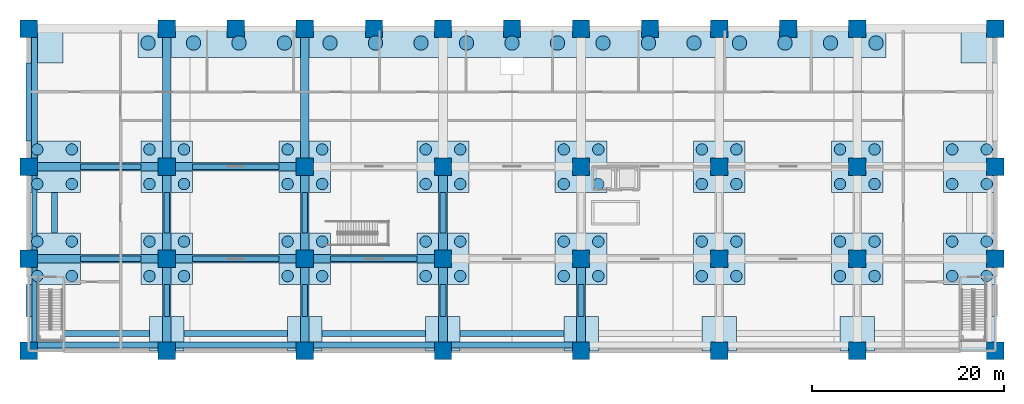
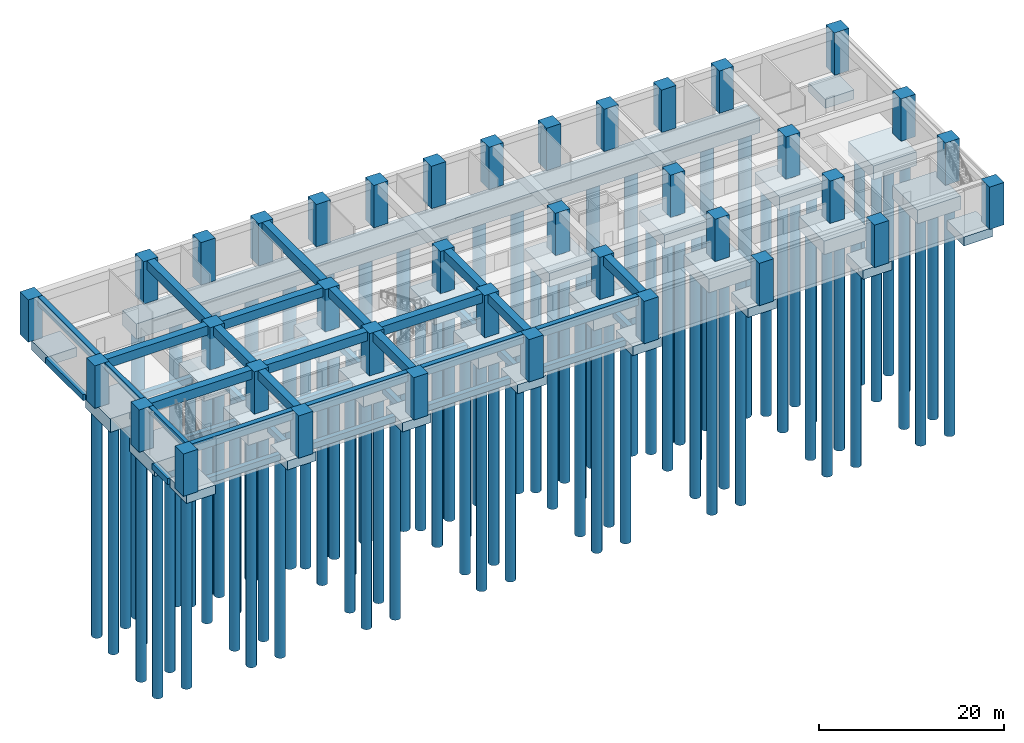
# One storey, part 1 of 13: 81 piles, 40 beams, 37 columns, 27 footings.
"""IFC4 building model written with IfcOpenShell, lengths in metres."""

from ifc_helpers import new_model, si_unit, direction, frame, origin, origin_2d, place, context, subcontext, project, spatial, polyline, rectangle, circle, outline, extrude, source, transform, mapped, material, material_profile, profile_set, type_object, element, save


model = new_model("IFC4")

# Units and contexts
model_context = context("Model", 3, precision=1e-05, world=origin(), true_north=direction((0.0, 1.0)))
body_context = subcontext(model_context, "Body", "Model", "MODEL_VIEW")
ifc_project = project(units=[si_unit("LENGTHUNIT", "METRE"), si_unit("AREAUNIT", "SQUARE_METRE"), si_unit("VOLUMEUNIT", "CUBIC_METRE"), si_unit("PLANEANGLEUNIT", "RADIAN"), si_unit("MASSUNIT", "GRAM", prefix="KILO")], contexts=[model_context])

# Site, building, storey
site_placement = place(None, origin())
site = spatial("IfcSite", under=ifc_project, at=site_placement, CompositionType="ELEMENT")
building_placement = place(site_placement, origin())
building = spatial("IfcBuilding", under=site, at=building_placement, Name="Saffron Iwan Residences", CompositionType="ELEMENT")
storey_placement = place(building_placement, frame((0.0, 0.0, -11.39990234375)))
storey = spatial("IfcBuildingStorey", under=building, at=storey_placement, Name="B2", CompositionType="ELEMENT", Elevation=-11.39990234375)

# Piles
ifc_material_1 = material(Name="Concrete C40/50", Category="concrete")
ifc_material_profile_1 = material_profile(ifc_material_1, circle(Radius=0.60009765625, at=origin_2d()), Name="RC D1200")
ifc_profile_set_1 = profile_set([ifc_material_profile_1], Name="Concrete C40/50")
pile_type_1 = type_object("IfcPileType", Name="BORED PILE D1200 C40/50", PredefinedType="BORED", material=ifc_profile_set_1)
for number, where, z_axis, x_axis, name in (
    (1, (0.89990234375, 7.800048828125, -2.25), (0.0, 0.0, -1.0), (1.0, 0.0, 0.0), "bored pile"),
    (2, (4.5, 7.800048828125, -2.25), (0.0, 0.0, -1.0), (1.0, 0.0, 0.0), "bored pile"),
    (3, (0.89990234375, 11.39990234375, -2.25), (0.0, 0.0, -1.0), (1.0, 0.0, 0.0), "bored pile"),
    (4, (4.5, 11.39990234375, -2.25), (0.0, 0.0, -1.0), (1.0, 0.0, 0.0), "bored pile"),
    (5, (12.60009765625, 7.800048828125, -2.25), (0.0, 0.0, -1.0), (1.0, 0.0, 0.0), "bored pile"),
    (6, (16.199951171875, 7.800048828125, -2.25), (0.0, 0.0, -1.0), (1.0, 0.0, 0.0), "bored pile"),
    (7, (12.60009765625, 11.39990234375, -2.25), (0.0, 0.0, -1.0), (1.0, 0.0, 0.0), "bored pile"),
    (8, (16.199951171875, 11.39990234375, -2.25), (0.0, 0.0, -1.0), (1.0, 0.0, 0.0), "bored pile"),
    (9, (27.0, 7.800048828125, -2.25), (0.0, 0.0, -1.0), (1.0, 0.0, 0.0), "bored pile"),
    (10, (30.60009765625, 7.800048828125, -2.25), (0.0, 0.0, -1.0), (1.0, 0.0, 0.0), "bored pile"),
    (11, (27.0, 11.39990234375, -2.25), (0.0, 0.0, -1.0), (1.0, 0.0, 0.0), "bored pile"),
    (12, (30.60009765625, 11.39990234375, -2.25), (0.0, 0.0, -1.0), (1.0, 0.0, 0.0), "bored pile"),
    (13, (41.39990234375, 7.800048828125, -2.25), (0.0, 0.0, -1.0), (1.0, 0.0, 0.0), "bored pile"),
    (14, (45.0, 7.800048828125, -2.25), (0.0, 0.0, -1.0), (1.0, 0.0, 0.0), "bored pile"),
    (15, (41.39990234375, 11.39990234375, -2.25), (0.0, 0.0, -1.0), (1.0, 0.0, 0.0), "bored pile"),
    (16, (45.0, 11.39990234375, -2.25), (0.0, 0.0, -1.0), (1.0, 0.0, 0.0), "bored pile"),
    (17, (55.800048828125, 7.800048828125, -2.25), (0.0, 0.0, -1.0), (1.0, 0.0, 0.0), "bored pile"),
    (18, (59.39990234375, 7.800048828125, -2.25), (0.0, 0.0, -1.0), (1.0, 0.0, 0.0), "bored pile"),
    (19, (55.800048828125, 11.39990234375, -2.25), (0.0, 0.0, -1.0), (1.0, 0.0, 0.0), "bored pile"),
    (20, (59.39990234375, 11.39990234375, -2.25), (0.0, 0.0, -1.0), (1.0, 0.0, 0.0), "bored pile"),
    (21, (70.199951171875, 7.800048828125, -2.25), (0.0, 0.0, -1.0), (1.0, 0.0, 0.0), "bored pile"),
    (22, (73.800048828125, 7.800048828125, -2.25), (0.0, 0.0, -1.0), (1.0, 0.0, 0.0), "bored pile"),
    (23, (70.199951171875, 11.39990234375, -2.25), (0.0, 0.0, -1.0), (1.0, 0.0, 0.0), "bored pile"),
    (24, (73.800048828125, 11.39990234375, -2.25), (0.0, 0.0, -1.0), (1.0, 0.0, 0.0), "bored pile"),
    (25, (84.60009765625, 7.800048828125, -2.25), (0.0, 0.0, -1.0), (1.0, 0.0, 0.0), "bored pile"),
    (26, (88.199951171875, 7.800048828125, -2.25), (0.0, 0.0, -1.0), (1.0, 0.0, 0.0), "bored pile"),
    (27, (84.60009765625, 11.39990234375, -2.25), (0.0, 0.0, -1.0), (1.0, 0.0, 0.0), "bored pile"),
    (28, (88.199951171875, 11.39990234375, -2.25), (0.0, 0.0, -1.0), (1.0, 0.0, 0.0), "bored pile"),
    (29, (96.300048828125, 7.800048828125, -2.25), (0.0, 0.0, -1.0), (1.0, 0.0, 0.0), "bored pile"),
    (30, (99.89990234375, 7.800048828125, -2.25), (0.0, 0.0, -1.0), (1.0, 0.0, 0.0), "bored pile"),
    (31, (96.300048828125, 11.39990234375, -2.25), (0.0, 0.0, -1.0), (1.0, 0.0, 0.0), "bored pile"),
    (32, (99.89990234375, 11.39990234375, -2.25), (0.0, 0.0, -1.0), (1.0, 0.0, 0.0), "bored pile"),
    (33, (0.89990234375, 17.39990234375, -2.25), (0.0, 0.0, -1.0), (1.0, 0.0, 0.0), "bored pile"),
    (34, (4.5, 17.39990234375, -2.25), (0.0, 0.0, -1.0), (1.0, 0.0, 0.0), "bored pile"),
    (35, (0.89990234375, 21.0, -2.25), (0.0, 0.0, -1.0), (1.0, 0.0, 0.0), "bored pile"),
    (36, (4.5, 21.0, -2.25), (0.0, 0.0, -1.0), (1.0, 0.0, 0.0), "bored pile"),
    (37, (12.60009765625, 17.39990234375, -2.25), (0.0, 0.0, -1.0), (1.0, 0.0, 0.0), "bored pile"),
    (38, (16.199951171875, 17.39990234375, -2.25), (0.0, 0.0, -1.0), (1.0, 0.0, 0.0), "bored pile"),
    (39, (12.60009765625, 21.0, -2.25), (0.0, 0.0, -1.0), (1.0, 0.0, 0.0), "bored pile"),
    (40, (16.199951171875, 21.0, -2.25), (0.0, 0.0, -1.0), (1.0, 0.0, 0.0), "bored pile"),
    (41, (27.0, 17.39990234375, -2.25), (0.0, 0.0, -1.0), (1.0, 0.0, 0.0), "bored pile"),
    (42, (30.60009765625, 17.39990234375, -2.25), (0.0, 0.0, -1.0), (1.0, 0.0, 0.0), "bored pile"),
    (43, (27.0, 21.0, -2.25), (0.0, 0.0, -1.0), (1.0, 0.0, 0.0), "bored pile"),
    (44, (30.60009765625, 21.0, -2.25), (0.0, 0.0, -1.0), (1.0, 0.0, 0.0), "bored pile"),
    (45, (41.39990234375, 17.39990234375, -2.25), (0.0, 0.0, -1.0), (1.0, 0.0, 0.0), "bored pile"),
    (46, (45.0, 17.39990234375, -2.25), (0.0, 0.0, -1.0), (1.0, 0.0, 0.0), "bored pile"),
    (47, (41.39990234375, 21.0, -2.25), (0.0, 0.0, -1.0), (1.0, 0.0, 0.0), "bored pile"),
    (48, (45.0, 21.0, -2.25), (0.0, 0.0, -1.0), (1.0, 0.0, 0.0), "bored pile"),
    (49, (55.800048828125, 17.39990234375, -2.25), (0.0, 0.0, -1.0), (1.0, 0.0, 0.0), "bored pile"),
    (50, (59.39990234375, 17.39990234375, -2.25), (0.0, 0.0, -1.0), (1.0, 0.0, 0.0), "bored pile"),
    (51, (55.800048828125, 21.0, -2.25), (0.0, 0.0, -1.0), (1.0, 0.0, 0.0), "bored pile"),
    (52, (59.39990234375, 21.0, -2.25), (0.0, 0.0, -1.0), (1.0, 0.0, 0.0), "bored pile"),
    (53, (70.199951171875, 17.39990234375, -2.25), (0.0, 0.0, -1.0), (1.0, 0.0, 0.0), "bored pile"),
    (54, (73.800048828125, 17.39990234375, -2.25), (0.0, 0.0, -1.0), (1.0, 0.0, 0.0), "bored pile"),
    (55, (70.199951171875, 21.0, -2.25), (0.0, 0.0, -1.0), (1.0, 0.0, 0.0), "bored pile"),
    (56, (73.800048828125, 21.0, -2.25), (0.0, 0.0, -1.0), (1.0, 0.0, 0.0), "bored pile"),
    (57, (84.60009765625, 17.39990234375, -2.25), (0.0, 0.0, -1.0), (1.0, 0.0, 0.0), "bored pile"),
    (58, (88.199951171875, 17.39990234375, -2.25), (0.0, 0.0, -1.0), (1.0, 0.0, 0.0), "bored pile"),
    (59, (84.60009765625, 21.0, -2.25), (0.0, 0.0, -1.0), (1.0, 0.0, 0.0), "bored pile"),
    (60, (88.199951171875, 21.0, -2.25), (0.0, 0.0, -1.0), (1.0, 0.0, 0.0), "bored pile"),
    (61, (96.300048828125, 17.39990234375, -2.25), (0.0, 0.0, -1.0), (1.0, 0.0, 0.0), "bored pile"),
    (62, (99.89990234375, 17.39990234375, -2.25), (0.0, 0.0, -1.0), (1.0, 0.0, 0.0), "bored pile"),
    (63, (96.300048828125, 21.0, -2.25), (0.0, 0.0, -1.0), (1.0, 0.0, 0.0), "bored pile"),
    (64, (99.89990234375, 21.0, -2.25), (0.0, 0.0, -1.0), (1.0, 0.0, 0.0), "bored pile"),
):
    element("IfcPile", number, at=place(storey_placement, frame(where, z_axis=z_axis, x_axis=x_axis)), inside=storey, type_object=pile_type_1, Name=name, PredefinedType="BORED", context=body_context, shape_type="SweptSolid", body=[
        extrude(circle(Radius=0.60009765625, at=origin_2d()), origin(), (0.0, 0.0, 1.0), 30.0),
    ])
ifc_material_profile_2 = material_profile(ifc_material_1, circle(Radius=0.75, at=origin_2d()), Name="RC D1500")
ifc_profile_set_2 = profile_set([ifc_material_profile_2], Name="Concrete C40/50")
pile_type_2 = type_object("IfcPileType", Name="BORED PILE D1500 C40/50", PredefinedType="BORED", material=ifc_profile_set_2)
for number, where, z_axis, x_axis, name in (
    (65, (12.449951171875, 32.10009765625, -2.4501953125), (0.0, 0.0, -1.0), (1.0, 0.0, 0.0), "bored pile"),
    (66, (17.19384765625, 32.10009765625, -2.4501953125), (0.0, 0.0, -1.0), (1.0, 0.0, 0.0), "bored pile"),
    (67, (21.9375, 32.10009765625, -2.4501953125), (0.0, 0.0, -1.0), (1.0, 0.0, 0.0), "bored pile"),
    (68, (26.681396484375, 32.10009765625, -2.4501953125), (0.0, 0.0, -1.0), (1.0, 0.0, 0.0), "bored pile"),
    (69, (31.425048828125, 32.10009765625, -2.4501953125), (0.0, 0.0, -1.0), (1.0, 0.0, 0.0), "bored pile"),
    (70, (36.168701171875, 32.10009765625, -2.4501953125), (0.0, 0.0, -1.0), (1.0, 0.0, 0.0), "bored pile"),
    (71, (40.91259765625, 32.10009765625, -2.4501953125), (0.0, 0.0, -1.0), (1.0, 0.0, 0.0), "bored pile"),
    (72, (45.65625, 32.10009765625, -2.4501953125), (0.0, 0.0, -1.0), (1.0, 0.0, 0.0), "bored pile"),
    (73, (50.39990234375, 32.10009765625, -2.4501953125), (0.0, 0.0, -1.0), (1.0, 0.0, 0.0), "bored pile"),
    (74, (55.143798828125, 32.10009765625, -2.4501953125), (0.0, 0.0, -1.0), (1.0, 0.0, 0.0), "bored pile"),
    (75, (59.887451171875, 32.10009765625, -2.4501953125), (0.0, 0.0, -1.0), (1.0, 0.0, 0.0), "bored pile"),
    (76, (64.63134765625, 32.10009765625, -2.4501953125), (0.0, 0.0, -1.0), (1.0, 0.0, 0.0), "bored pile"),
    (77, (69.375, 32.10009765625, -2.4501953125), (0.0, 0.0, -1.0), (1.0, 0.0, 0.0), "bored pile"),
    (78, (74.118896484375, 32.10009765625, -2.4501953125), (0.0, 0.0, -1.0), (1.0, 0.0, 0.0), "bored pile"),
    (79, (78.862548828125, 32.10009765625, -2.4501953125), (0.0, 0.0, -1.0), (1.0, 0.0, 0.0), "bored pile"),
    (80, (83.606201171875, 32.10009765625, -2.4501953125), (0.0, 0.0, -1.0), (1.0, 0.0, 0.0), "bored pile"),
    (81, (88.35009765625, 32.10009765625, -2.4501953125), (0.0, 0.0, -1.0), (1.0, 0.0, 0.0), "bored pile"),
):
    element("IfcPile", number, at=place(storey_placement, frame(where, z_axis=z_axis, x_axis=x_axis)), inside=storey, type_object=pile_type_2, Name=name, PredefinedType="BORED", context=body_context, shape_type="SweptSolid", body=[
        extrude(circle(Radius=0.75, at=origin_2d()), origin(), (0.0, 0.0, 1.0), 38.0),
    ])

# Footings
footing_type_1 = type_object("IfcFootingType", Name="PILE CAP STRIP 3000 C40/50", PredefinedType="PILE_CAP", material=ifc_material_1)
footing_placement = place(storey_placement, frame((0.0, 0.0, -2.60009765625)))
element("IfcFooting", 82, at=footing_placement, inside=storey, type_object=footing_type_1, Name="Pile cap strip", PredefinedType="PILE_CAP", context=body_context, shape_type="SweptSolid", body=[
    extrude(outline(polyline([(11.39990234375, 30.60009765625), (89.39990234375, 30.60009765625), (89.39990234375, 33.60009765625), (11.39990234375, 33.60009765625), (11.39990234375, 30.60009765625)])), origin(), (0.0, 0.0, 1.0), 2.0),
])
footing_type_2 = type_object("IfcFootingType", Name="PAD 3600x3600x1200 C40/50", PredefinedType="PAD_FOOTING", material=ifc_material_1)
shared_shape_1 = source(origin(), body_context, "Body", "SweptSolid", [
    extrude(rectangle(XDim=3.60009765625, YDim=3.60009765625, at=origin_2d()), origin(), (0.0, 0.0, 1.0), 1.199951171875),
])
for number, where, z_axis, x_axis, name in (
    (83, (1.800048828125, 1.800048828125, -1.80029296875), (0.0, 0.0, 1.0), (1.0, 0.0, 0.0), "Pad footing"),
    (84, (14.39990234375, 1.800048828125, -1.80029296875), (0.0, 0.0, 1.0), (1.0, 0.0, 0.0), "Pad footing"),
    (85, (28.800048828125, 1.800048828125, -1.80029296875), (0.0, 0.0, 1.0), (1.0, 0.0, 0.0), "Pad footing"),
    (86, (43.199951171875, 1.800048828125, -1.80029296875), (0.0, 0.0, 1.0), (1.0, 0.0, 0.0), "Pad footing"),
    (87, (57.60009765625, 1.800048828125, -1.80029296875), (0.0, 0.0, 1.0), (1.0, 0.0, 0.0), "Pad footing"),
    (88, (72.0, 1.800048828125, -1.80029296875), (0.0, 0.0, 1.0), (1.0, 0.0, 0.0), "Pad footing"),
    (89, (86.39990234375, 1.800048828125, -1.80029296875), (0.0, 0.0, 1.0), (1.0, 0.0, 0.0), "Pad footing"),
    (90, (99.0, 1.800048828125, -1.80029296875), (0.0, 0.0, 1.0), (1.0, 0.0, 0.0), "Pad footing"),
    (91, (1.800048828125, 31.800048828125, -1.80029296875), (0.0, 0.0, 1.0), (1.0, 0.0, 0.0), "Pad footing"),
    (92, (99.0, 31.800048828125, -1.80029296875), (0.0, 0.0, 1.0), (1.0, 0.0, 0.0), "Pad footing"),
):
    element("IfcFooting", number, at=place(storey_placement, frame(where, z_axis=z_axis, x_axis=x_axis)), inside=storey, type_object=footing_type_2, Name=name, PredefinedType="PAD_FOOTING", context=body_context, shape_type="MappedRepresentation", body=[
        mapped(shared_shape_1, transform((0.0, 0.0, 0.0))),
    ])
footing_type_3 = type_object("IfcFootingType", Name="PILE CAP 5400x5400x1800 C40/50", PredefinedType="PILE_CAP", material=ifc_material_1)
shared_shape_2 = source(origin(), body_context, "Body", "SweptSolid", [
    extrude(rectangle(XDim=5.39990234375, YDim=5.39990234375, at=origin_2d()), origin(), (0.0, 0.0, 1.0), 1.800048828125),
])
for number, where, z_axis, x_axis, name in (
    (93, (2.699951171875, 9.60009765625, -2.39990234375), (0.0, 0.0, 1.0), (1.0, 0.0, 0.0), "Pile cap"),
    (94, (14.39990234375, 9.60009765625, -2.39990234375), (0.0, 0.0, 1.0), (1.0, 0.0, 0.0), "Pile cap"),
    (95, (28.800048828125, 9.60009765625, -2.39990234375), (0.0, 0.0, 1.0), (1.0, 0.0, 0.0), "Pile cap"),
    (96, (43.199951171875, 9.60009765625, -2.39990234375), (0.0, 0.0, 1.0), (1.0, 0.0, 0.0), "Pile cap"),
    (97, (57.60009765625, 9.60009765625, -2.39990234375), (0.0, 0.0, 1.0), (1.0, 0.0, 0.0), "Pile cap"),
    (98, (72.0, 9.60009765625, -2.39990234375), (0.0, 0.0, 1.0), (1.0, 0.0, 0.0), "Pile cap"),
    (99, (86.39990234375, 9.60009765625, -2.39990234375), (0.0, 0.0, 1.0), (1.0, 0.0, 0.0), "Pile cap"),
    (100, (98.10009765625, 9.60009765625, -2.39990234375), (0.0, 0.0, 1.0), (1.0, 0.0, 0.0), "Pile cap"),
    (101, (2.699951171875, 19.199951171875, -2.39990234375), (0.0, 0.0, 1.0), (1.0, 0.0, 0.0), "Pile cap"),
    (102, (14.39990234375, 19.199951171875, -2.39990234375), (0.0, 0.0, 1.0), (1.0, 0.0, 0.0), "Pile cap"),
    (103, (28.800048828125, 19.199951171875, -2.39990234375), (0.0, 0.0, 1.0), (1.0, 0.0, 0.0), "Pile cap"),
    (104, (43.199951171875, 19.199951171875, -2.39990234375), (0.0, 0.0, 1.0), (1.0, 0.0, 0.0), "Pile cap"),
    (105, (57.60009765625, 19.199951171875, -2.39990234375), (0.0, 0.0, 1.0), (1.0, 0.0, 0.0), "Pile cap"),
    (106, (72.0, 19.199951171875, -2.39990234375), (0.0, 0.0, 1.0), (1.0, 0.0, 0.0), "Pile cap"),
    (107, (86.39990234375, 19.199951171875, -2.39990234375), (0.0, 0.0, 1.0), (1.0, 0.0, 0.0), "Pile cap"),
    (108, (98.10009765625, 19.199951171875, -2.39990234375), (0.0, 0.0, 1.0), (1.0, 0.0, 0.0), "Pile cap"),
):
    element("IfcFooting", number, at=place(storey_placement, frame(where, z_axis=z_axis, x_axis=x_axis)), inside=storey, type_object=footing_type_3, Name=name, PredefinedType="PILE_CAP", context=body_context, shape_type="MappedRepresentation", body=[
        mapped(shared_shape_2, transform((0.0, 0.0, 0.0))),
    ])

# Columns
ifc_material_2 = material(Name="Concrete C50/60", Category="concrete")
ifc_material_profile_3 = material_profile(ifc_material_2, rectangle(XDim=1.800048828125, YDim=1.800048828125, at=origin_2d()), Name="RC 1800x1800")
ifc_profile_set_3 = profile_set([ifc_material_profile_3], Name="Concrete C50/60")
column_type = type_object("IfcColumnType", Name="COL RC 1800x1800 C50/60 5600 HIGH", PredefinedType="COLUMN", material=ifc_profile_set_3)
shared_shape_3 = source(origin(), body_context, "Body", "SweptSolid", [
    extrude(rectangle(XDim=1.800048828125, YDim=1.800048828125, at=origin_2d()), origin(), (0.0, 0.0, 1.0), 5.599853515625),
])
for number, where, z_axis, x_axis, name in (
    (109, (0.0, 0.0, 0.0), (0.0, 0.0, 1.0), (1.0, 0.0, 0.0), "Column C001"),
    (110, (14.39990234375, 0.0, 0.0), (0.0, 0.0, 1.0), (1.0, 0.0, 0.0), "Column C002"),
    (111, (28.800048828125, 0.0, 0.0), (0.0, 0.0, 1.0), (1.0, 0.0, 0.0), "Column C003"),
    (112, (43.199951171875, 0.0, 0.0), (0.0, 0.0, 1.0), (1.0, 0.0, 0.0), "Column C004"),
    (113, (57.60009765625, 0.0, 0.0), (0.0, 0.0, 1.0), (1.0, 0.0, 0.0), "Column C005"),
    (114, (72.0, 0.0, 0.0), (0.0, 0.0, 1.0), (1.0, 0.0, 0.0), "Column C006"),
    (115, (86.39990234375, 0.0, 0.0), (0.0, 0.0, 1.0), (1.0, 0.0, 0.0), "Column C007"),
    (116, (100.800048828125, 0.0, 0.0), (0.0, 0.0, 1.0), (1.0, 0.0, 0.0), "Column C008"),
    (117, (0.0, 9.60009765625, 0.0), (0.0, 0.0, 1.0), (1.0, 0.0, 0.0), "Column C009"),
    (118, (14.39990234375, 9.60009765625, 0.0), (0.0, 0.0, 1.0), (1.0, 0.0, 0.0), "Column C010"),
    (119, (28.800048828125, 9.60009765625, 0.0), (0.0, 0.0, 1.0), (1.0, 0.0, 0.0), "Column C011"),
    (120, (43.199951171875, 9.60009765625, 0.0), (0.0, 0.0, 1.0), (1.0, 0.0, 0.0), "Column C012"),
    (121, (57.60009765625, 9.60009765625, 0.0), (0.0, 0.0, 1.0), (1.0, 0.0, 0.0), "Column C013"),
    (122, (72.0, 9.60009765625, 0.0), (0.0, 0.0, 1.0), (1.0, 0.0, 0.0), "Column C014"),
    (123, (86.39990234375, 9.60009765625, 0.0), (0.0, 0.0, 1.0), (1.0, 0.0, 0.0), "Column C015"),
    (124, (100.800048828125, 9.60009765625, 0.0), (0.0, 0.0, 1.0), (1.0, 0.0, 0.0), "Column C016"),
    (125, (0.0, 19.199951171875, 0.0), (0.0, 0.0, 1.0), (1.0, 0.0, 0.0), "Column C017"),
    (126, (14.39990234375, 19.199951171875, 0.0), (0.0, 0.0, 1.0), (1.0, 0.0, 0.0), "Column C018"),
    (127, (28.800048828125, 19.199951171875, 0.0), (0.0, 0.0, 1.0), (1.0, 0.0, 0.0), "Column C019"),
    (128, (43.199951171875, 19.199951171875, 0.0), (0.0, 0.0, 1.0), (1.0, 0.0, 0.0), "Column C020"),
    (129, (57.60009765625, 19.199951171875, 0.0), (0.0, 0.0, 1.0), (1.0, 0.0, 0.0), "Column C021"),
    (130, (72.0, 19.199951171875, 0.0), (0.0, 0.0, 1.0), (1.0, 0.0, 0.0), "Column C022"),
    (131, (86.39990234375, 19.199951171875, 0.0), (0.0, 0.0, 1.0), (1.0, 0.0, 0.0), "Column C023"),
    (132, (100.800048828125, 19.199951171875, 0.0), (0.0, 0.0, 1.0), (1.0, 0.0, 0.0), "Column C024"),
    (133, (0.0, 33.60009765625, 0.0), (0.0, 0.0, 1.0), (1.0, 0.0, 0.0), "Column C025"),
    (134, (14.39990234375, 33.60009765625, 0.0), (0.0, 0.0, 1.0), (1.0, 0.0, 0.0), "Column C026"),
    (135, (21.60009765625, 33.60009765625, 0.0), (0.0, 0.0, 1.0), (1.0, 0.0, 0.0), "Column C027"),
    (136, (28.800048828125, 33.60009765625, 0.0), (0.0, 0.0, 1.0), (1.0, 0.0, 0.0), "Column C028"),
    (137, (36.0, 33.60009765625, 0.0), (0.0, 0.0, 1.0), (1.0, 0.0, 0.0), "Column C029"),
    (138, (43.199951171875, 33.60009765625, 0.0), (0.0, 0.0, 1.0), (1.0, 0.0, 0.0), "Column C030"),
    (139, (50.39990234375, 33.60009765625, 0.0), (0.0, 0.0, 1.0), (1.0, 0.0, 0.0), "Column C031"),
    (140, (57.60009765625, 33.60009765625, 0.0), (0.0, 0.0, 1.0), (1.0, 0.0, 0.0), "Column C032"),
    (141, (64.800048828125, 33.60009765625, 0.0), (0.0, 0.0, 1.0), (1.0, 0.0, 0.0), "Column C033"),
    (142, (72.0, 33.60009765625, 0.0), (0.0, 0.0, 1.0), (1.0, 0.0, 0.0), "Column C034"),
    (143, (79.199951171875, 33.60009765625, 0.0), (0.0, 0.0, 1.0), (1.0, 0.0, 0.0), "Column C035"),
    (144, (86.39990234375, 33.60009765625, 0.0), (0.0, 0.0, 1.0), (1.0, 0.0, 0.0), "Column C036"),
    (145, (100.800048828125, 33.60009765625, 0.0), (0.0, 0.0, 1.0), (1.0, 0.0, 0.0), "Column C037"),
):
    element("IfcColumn", number, at=place(storey_placement, frame(where, z_axis=z_axis, x_axis=x_axis)), inside=storey, type_object=column_type, Name=name, PredefinedType="COLUMN", context=body_context, shape_type="MappedRepresentation", body=[
        mapped(shared_shape_3, transform((0.0, 0.0, 0.0))),
    ])

# Beams
ifc_material_profile_4 = material_profile(ifc_material_2, rectangle(XDim=0.5, YDim=0.89990234375, at=origin_2d()), Name="RC 500x900")
ifc_profile_set_4 = profile_set([ifc_material_profile_4], Name="Concrete C50/60")
beam_type_1 = type_object("IfcBeamType", Name="SPANDREL BEAM RC 500x900 C50/60 TOP 5600", PredefinedType="SPANDREL", material=ifc_profile_set_4)
shared_shape_4 = source(origin(), body_context, "Body", "SweptSolid", [
    extrude(rectangle(XDim=0.5, YDim=0.89990234375, at=origin_2d()), origin(), (0.0, 0.0, 1.0), 7.800048828125),
])
for number, where, z_axis, x_axis, name in (
    (146, (0.60009765625, 0.89990234375, 5.14990234375), (0.0, 1.0, 0.0), (-1.0, 0.0, 0.0), "Spandrel beam"),
    (147, (0.60009765625, 10.5, 5.14990234375), (0.0, 1.0, 0.0), (-1.0, 0.0, 0.0), "Spandrel beam"),
):
    element("IfcBeam", number, at=place(storey_placement, frame(where, z_axis=z_axis, x_axis=x_axis)), inside=storey, type_object=beam_type_1, Name=name, PredefinedType="SPANDREL", context=body_context, shape_type="MappedRepresentation", body=[
        mapped(shared_shape_4, transform((0.0, 0.0, 0.0))),
    ])
ifc_material_profile_5 = material_profile(ifc_material_2, rectangle(XDim=0.60009765625, YDim=1.199951171875, at=origin_2d()), Name="RC 600x1200")
ifc_profile_set_5 = profile_set([ifc_material_profile_5], Name="Concrete C50/60")
beam_type_2 = type_object("IfcBeamType", Name="LINTEL BEAM RC 600x1200 C50/60 TOP 5600", PredefinedType="LINTEL", material=ifc_profile_set_5)
shared_shape_5 = source(origin(), body_context, "Body", "SweptSolid", [
    extrude(rectangle(XDim=0.60009765625, YDim=1.199951171875, at=origin_2d()), origin(), (0.0, 0.0, 1.0), 12.60009765625),
])
for number, where, z_axis, x_axis, name in (
    (148, (13.5, 0.60009765625, 5.0), (-1.0, 0.0, 0.0), (0.0, -1.0, 0.0), "Lintel beam over the iwan"),
    (149, (42.300048828125, 0.60009765625, 5.0), (-1.0, 0.0, 0.0), (0.0, -1.0, 0.0), "Lintel beam over the iwan"),
):
    element("IfcBeam", number, at=place(storey_placement, frame(where, z_axis=z_axis, x_axis=x_axis)), inside=storey, type_object=beam_type_2, Name=name, PredefinedType="LINTEL", context=body_context, shape_type="MappedRepresentation", body=[
        mapped(shared_shape_5, transform((0.0, 0.0, 0.0))),
    ])
shared_shape_6 = source(origin(), body_context, "Body", "SweptSolid", [
    extrude(rectangle(XDim=0.60009765625, YDim=1.199951171875, at=origin_2d()), origin(), (0.0, 0.0, 1.0), 12.599853515625),
])
for number, where, z_axis, x_axis, name in (
    (150, (27.89990234375, 0.60009765625, 5.0), (-1.0, 0.0, 0.0), (0.0, -1.0, 0.0), "Lintel beam over the iwan"),
    (151, (56.699951171875, 0.60009765625, 5.0), (-1.0, 0.0, 0.0), (0.0, -1.0, 0.0), "Lintel beam over the iwan"),
    (152, (0.60009765625, 20.10009765625, 5.0), (0.0, 1.0, 0.0), (-1.0, 0.0, 0.0), "Lintel beam over the iwan"),
):
    element("IfcBeam", number, at=place(storey_placement, frame(where, z_axis=z_axis, x_axis=x_axis)), inside=storey, type_object=beam_type_2, Name=name, PredefinedType="LINTEL", context=body_context, shape_type="MappedRepresentation", body=[
        mapped(shared_shape_6, transform((0.0, 0.0, 0.0))),
    ])
ifc_material_profile_6 = material_profile(ifc_material_2, rectangle(XDim=0.89990234375, YDim=1.199951171875, at=origin_2d()), Name="RC 900x1200")
ifc_profile_set_6 = profile_set([ifc_material_profile_6], Name="Concrete C50/60")
beam_type_3 = type_object("IfcBeamType", Name="BEAM RC 900x1200 C50/60 TOP 5600", PredefinedType="BEAM", material=ifc_profile_set_6)
shared_shape_7 = source(origin(), body_context, "Body", "SweptSolid", [
    extrude(rectangle(XDim=0.89990234375, YDim=1.199951171875, at=origin_2d()), origin(), (0.0, 0.0, 1.0), 7.800048828125),
])
for number, where, z_axis, x_axis, name in (
    (153, (14.39990234375, 0.89990234375, 5.0), (0.0, 1.0, 0.0), (-1.0, 0.0, 0.0), "Floor beam"),
    (154, (28.800048828125, 0.89990234375, 5.0), (0.0, 1.0, 0.0), (-1.0, 0.0, 0.0), "Floor beam"),
    (155, (43.199951171875, 0.89990234375, 5.0), (0.0, 1.0, 0.0), (-1.0, 0.0, 0.0), "Floor beam"),
    (156, (57.60009765625, 0.89990234375, 5.0), (0.0, 1.0, 0.0), (-1.0, 0.0, 0.0), "Floor beam"),
    (157, (14.39990234375, 10.5, 5.0), (0.0, 1.0, 0.0), (-1.0, 0.0, 0.0), "Floor beam"),
    (158, (28.800048828125, 10.5, 5.0), (0.0, 1.0, 0.0), (-1.0, 0.0, 0.0), "Floor beam"),
    (159, (43.199951171875, 10.5, 5.0), (0.0, 1.0, 0.0), (-1.0, 0.0, 0.0), "Floor beam"),
):
    element("IfcBeam", number, at=place(storey_placement, frame(where, z_axis=z_axis, x_axis=x_axis)), inside=storey, type_object=beam_type_3, Name=name, PredefinedType="BEAM", context=body_context, shape_type="MappedRepresentation", body=[
        mapped(shared_shape_7, transform((0.0, 0.0, 0.0))),
    ])
shared_shape_8 = source(origin(), body_context, "Body", "SweptSolid", [
    extrude(rectangle(XDim=0.89990234375, YDim=1.199951171875, at=origin_2d()), origin(), (0.0, 0.0, 1.0), 12.60009765625),
])
for number, where, z_axis, x_axis, name in (
    (160, (0.89990234375, 9.60009765625, 5.0), (1.0, 0.0, 0.0), (0.0, 1.0, 0.0), "Floor beam"),
    (161, (29.699951171875, 9.60009765625, 5.0), (1.0, 0.0, 0.0), (0.0, 1.0, 0.0), "Floor beam"),
    (162, (0.89990234375, 19.199951171875, 5.0), (1.0, 0.0, 0.0), (0.0, 1.0, 0.0), "Floor beam"),
):
    element("IfcBeam", number, at=place(storey_placement, frame(where, z_axis=z_axis, x_axis=x_axis)), inside=storey, type_object=beam_type_3, Name=name, PredefinedType="BEAM", context=body_context, shape_type="MappedRepresentation", body=[
        mapped(shared_shape_8, transform((0.0, 0.0, 0.0))),
    ])
shared_shape_9 = source(origin(), body_context, "Body", "SweptSolid", [
    extrude(rectangle(XDim=0.89990234375, YDim=1.199951171875, at=origin_2d()), origin(), (0.0, 0.0, 1.0), 12.599853515625),
])
for number, where, z_axis, x_axis, name in (
    (163, (15.300048828125, 9.60009765625, 5.0), (1.0, 0.0, 0.0), (0.0, 1.0, 0.0), "Floor beam"),
    (164, (15.300048828125, 19.199951171875, 5.0), (1.0, 0.0, 0.0), (0.0, 1.0, 0.0), "Floor beam"),
    (165, (14.39990234375, 20.10009765625, 5.0), (0.0, 1.0, 0.0), (-1.0, 0.0, 0.0), "Floor beam"),
    (166, (28.800048828125, 20.10009765625, 5.0), (0.0, 1.0, 0.0), (-1.0, 0.0, 0.0), "Floor beam"),
):
    element("IfcBeam", number, at=place(storey_placement, frame(where, z_axis=z_axis, x_axis=x_axis)), inside=storey, type_object=beam_type_3, Name=name, PredefinedType="BEAM", context=body_context, shape_type="MappedRepresentation", body=[
        mapped(shared_shape_9, transform((0.0, 0.0, 0.0))),
    ])
ifc_material_profile_7 = material_profile(ifc_material_1, rectangle(XDim=0.60009765625, YDim=0.800048828125, at=origin_2d()), Name="RC 600x800")
ifc_profile_set_7 = profile_set([ifc_material_profile_7], Name="Concrete C40/50")
beam_type_4 = type_object("IfcBeamType", Name="GROUND BEAM RC 600x800 C40/50 TOP -600", PredefinedType="BEAM", material=ifc_profile_set_7)
shared_shape_10 = source(origin(), body_context, "Body", "SweptSolid", [
    extrude(rectangle(XDim=0.60009765625, YDim=0.800048828125, at=origin_2d()), origin(), (0.0, 0.0, 1.0), 9.0),
])
for number, where, z_axis, x_axis, name in (
    (167, (3.60009765625, 1.800048828125, -1.0), (1.0, 0.0, 0.0), (0.0, 1.0, 0.0), "Ground beam"),
    (168, (17.10009765625, 9.60009765625, -1.0), (1.0, 0.0, 0.0), (0.0, 1.0, 0.0), "Ground beam"),
    (169, (17.10009765625, 19.199951171875, -1.0), (1.0, 0.0, 0.0), (0.0, 1.0, 0.0), "Ground beam"),
    (170, (31.5, 9.60009765625, -1.0), (1.0, 0.0, 0.0), (0.0, 1.0, 0.0), "Ground beam"),
):
    element("IfcBeam", number, at=place(storey_placement, frame(where, z_axis=z_axis, x_axis=x_axis)), inside=storey, type_object=beam_type_4, Name=name, PredefinedType="BEAM", context=body_context, shape_type="MappedRepresentation", body=[
        mapped(shared_shape_10, transform((0.0, 0.0, 0.0))),
    ])
shared_shape_11 = source(origin(), body_context, "Body", "SweptSolid", [
    extrude(rectangle(XDim=0.60009765625, YDim=0.800048828125, at=origin_2d()), origin(), (0.0, 0.0, 1.0), 3.2998046875),
])
for number, where, z_axis, x_axis, name in (
    (171, (0.0, 3.60009765625, -1.0), (0.0, 1.0, 0.0), (-1.0, 0.0, 0.0), "Ground beam"),
    (172, (14.39990234375, 3.60009765625, -1.0), (0.0, 1.0, 0.0), (-1.0, 0.0, 0.0), "Ground beam"),
    (173, (28.800048828125, 3.60009765625, -1.0), (0.0, 1.0, 0.0), (-1.0, 0.0, 0.0), "Ground beam"),
    (174, (43.199951171875, 3.60009765625, -1.0), (0.0, 1.0, 0.0), (-1.0, 0.0, 0.0), "Ground beam"),
    (175, (57.60009765625, 3.60009765625, -1.0), (0.0, 1.0, 0.0), (-1.0, 0.0, 0.0), "Ground beam"),
):
    element("IfcBeam", number, at=place(storey_placement, frame(where, z_axis=z_axis, x_axis=x_axis)), inside=storey, type_object=beam_type_4, Name=name, PredefinedType="BEAM", context=body_context, shape_type="MappedRepresentation", body=[
        mapped(shared_shape_11, transform((0.0, 0.0, 0.0))),
    ])
shared_shape_12 = source(origin(), body_context, "Body", "SweptSolid", [
    extrude(rectangle(XDim=0.60009765625, YDim=0.800048828125, at=origin_2d()), origin(), (0.0, 0.0, 1.0), 6.300048828125),
])
for number, where, z_axis, x_axis, name in (
    (176, (5.39990234375, 9.60009765625, -1.0), (1.0, 0.0, 0.0), (0.0, 1.0, 0.0), "Ground beam"),
    (177, (5.39990234375, 19.199951171875, -1.0), (1.0, 0.0, 0.0), (0.0, 1.0, 0.0), "Ground beam"),
):
    element("IfcBeam", number, at=place(storey_placement, frame(where, z_axis=z_axis, x_axis=x_axis)), inside=storey, type_object=beam_type_4, Name=name, PredefinedType="BEAM", context=body_context, shape_type="MappedRepresentation", body=[
        mapped(shared_shape_12, transform((0.0, 0.0, 0.0))),
    ])
shared_shape_13 = source(origin(), body_context, "Body", "SweptSolid", [
    extrude(rectangle(XDim=0.60009765625, YDim=0.800048828125, at=origin_2d()), origin(), (0.0, 0.0, 1.0), 4.199951171875),
])
for number, where, z_axis, x_axis, name in (
    (178, (2.699951171875, 12.300048828125, -1.0), (0.0, 1.0, 0.0), (-1.0, 0.0, 0.0), "Ground beam"),
    (179, (14.39990234375, 12.300048828125, -1.0), (0.0, 1.0, 0.0), (-1.0, 0.0, 0.0), "Ground beam"),
    (180, (28.800048828125, 12.300048828125, -1.0), (0.0, 1.0, 0.0), (-1.0, 0.0, 0.0), "Ground beam"),
    (181, (43.199951171875, 12.300048828125, -1.0), (0.0, 1.0, 0.0), (-1.0, 0.0, 0.0), "Ground beam"),
):
    element("IfcBeam", number, at=place(storey_placement, frame(where, z_axis=z_axis, x_axis=x_axis)), inside=storey, type_object=beam_type_4, Name=name, PredefinedType="BEAM", context=body_context, shape_type="MappedRepresentation", body=[
        mapped(shared_shape_13, transform((0.0, 0.0, 0.0))),
    ])
shared_shape_14 = source(origin(), body_context, "Body", "SweptSolid", [
    extrude(rectangle(XDim=0.60009765625, YDim=0.800048828125, at=origin_2d()), origin(), (0.0, 0.0, 1.0), 8.10009765625),
])
beam_1_placement = place(storey_placement, frame((0.0, 21.89990234375, -1.0), z_axis=(0.0, 1.0, 0.0), x_axis=(-1.0, 0.0, 0.0)))
element("IfcBeam", 182, at=beam_1_placement, inside=storey, type_object=beam_type_4, Name="Ground beam", PredefinedType="BEAM", context=body_context, shape_type="MappedRepresentation", body=[
    mapped(shared_shape_14, transform((0.0, 0.0, 0.0))),
])
shared_shape_15 = source(origin(), body_context, "Body", "SweptSolid", [
    extrude(rectangle(XDim=0.60009765625, YDim=0.800048828125, at=origin_2d()), origin(), (0.0, 0.0, 1.0), 10.800048828125),
])
for number, where, z_axis, x_axis, name in (
    (183, (16.199951171875, 1.800048828125, -1.0), (1.0, 0.0, 0.0), (0.0, 1.0, 0.0), "Ground beam"),
    (184, (45.0, 1.800048828125, -1.0), (1.0, 0.0, 0.0), (0.0, 1.0, 0.0), "Ground beam"),
):
    element("IfcBeam", number, at=place(storey_placement, frame(where, z_axis=z_axis, x_axis=x_axis)), inside=storey, type_object=beam_type_4, Name=name, PredefinedType="BEAM", context=body_context, shape_type="MappedRepresentation", body=[
        mapped(shared_shape_15, transform((0.0, 0.0, 0.0))),
    ])
shared_shape_16 = source(origin(), body_context, "Body", "SweptSolid", [
    extrude(rectangle(XDim=0.60009765625, YDim=0.800048828125, at=origin_2d()), origin(), (0.0, 0.0, 1.0), 10.7998046875),
])
beam_2_placement = place(storey_placement, frame((30.60009765625, 1.800048828125, -1.0), z_axis=(1.0, 0.0, 0.0), x_axis=(0.0, 1.0, 0.0)))
element("IfcBeam", 185, at=beam_2_placement, inside=storey, type_object=beam_type_4, Name="Ground beam", PredefinedType="BEAM", context=body_context, shape_type="MappedRepresentation", body=[
    mapped(shared_shape_16, transform((0.0, 0.0, 0.0))),
])

save(model, "model.ifc")
